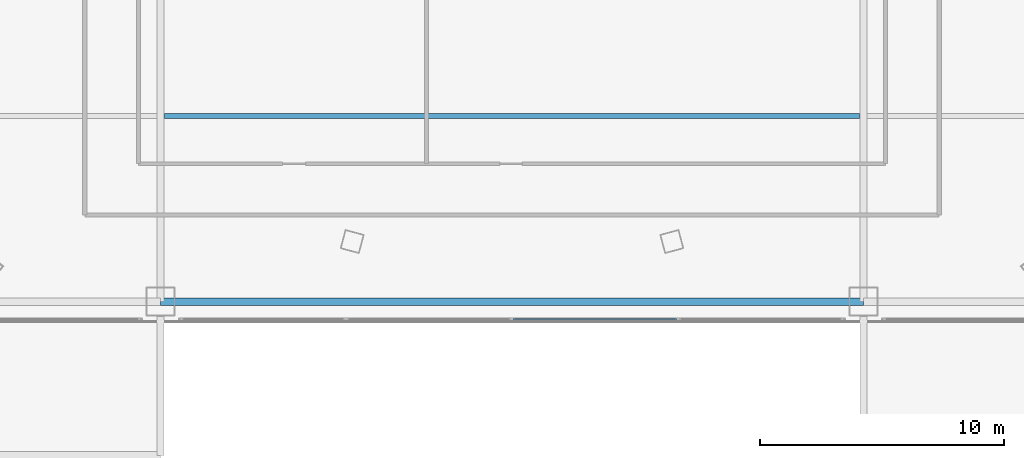
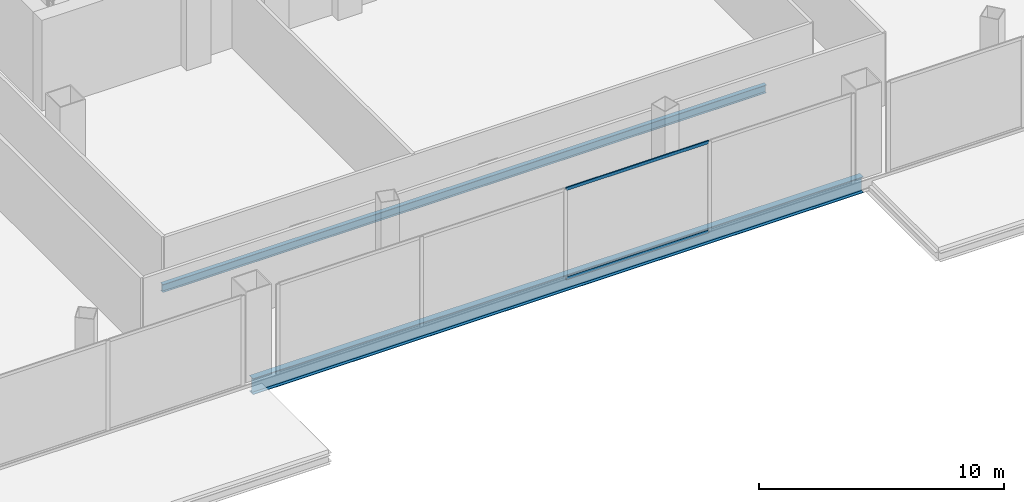
# One storey, part 10 of 42: 2 beams, 2 members, 1 element without a shape of its own.
"""IFC4 building model written with IfcOpenShell, lengths in metres."""

import ifcopenshell
import ifcopenshell.guid

model = None  # the IFC model being written
_history = None  # IfcOwnerHistory: only IFC2X3 demands one
_inside = {}  # id of a spatial element -> (the spatial element, [elements in it])
_under = {}  # id of a project, library or spatial element -> (it, [spatial elements below it])
_declared = {}  # id of a project -> (the project, [libraries it declares])
_typed = {}  # id of a type object -> (the type object, [elements of that type])
_made_of = {}  # id of a material, layer set ... -> (it, [elements and type objects made of it])


def new_model(schema):
    """Start an empty IFC model of exactly this schema.

    Asked for "IFC4X3", IfcOpenShell would pick the latest addendum, in which some entities
    have other attributes; the version numbers below select the first issue.
    IFC2X3 requires an IfcOwnerHistory on every rooted entity: one is made here for all.
    """
    global model, _history
    if schema == "IFC4X3":
        model = ifcopenshell.file(schema_version=(4, 3, 0, 0))
    else:
        model = ifcopenshell.file(schema=schema)
    _inside.clear()
    _under.clear()
    _declared.clear()
    _typed.clear()
    _made_of.clear()
    _history = None
    if model.schema == "IFC2X3":
        org = make("IfcOrganization", Name="unknown")
        user = make(
            "IfcPersonAndOrganization",
            ThePerson=make("IfcPerson", FamilyName="unknown"),
            TheOrganization=org,
        )
        app = make(
            "IfcApplication",
            ApplicationDeveloper=org,
            Version="unknown",
            ApplicationFullName="unknown",
            ApplicationIdentifier="unknown",
        )
        _history = make(
            "IfcOwnerHistory",
            OwningUser=user,
            OwningApplication=app,
            ChangeAction="ADDED",
            CreationDate=0,
        )
    return model


def make(cls, **values):
    """One entity of the class cls with the attributes given. An attribute that is None is left unset."""
    return model.create_entity(
        cls, **{name: value for name, value in values.items() if value is not None}
    )


def rooted(cls, **values):
    """An entity with a GlobalId (a new one), such as an element, a storey or a relation."""
    return make(cls, GlobalId=ifcopenshell.guid.new(), OwnerHistory=_history, **values)


def si_unit(unit_type, name, prefix=None):
    """IfcSIUnit, for example si_unit("LENGTHUNIT", "METRE", prefix="MILLI")."""
    return make("IfcSIUnit", UnitType=unit_type, Prefix=prefix, Name=name)


def assignment(units):
    """IfcUnitAssignment: the units of a project."""
    return None if units is None else make("IfcUnitAssignment", Units=units)


def point(xyz):
    """IfcCartesianPoint."""
    return None if xyz is None else make("IfcCartesianPoint", Coordinates=xyz)


def direction(xyz):
    """IfcDirection."""
    return None if xyz is None else make("IfcDirection", DirectionRatios=xyz)


def frame(location, z_axis=None, x_axis=None):
    """IfcAxis2Placement3D, a coordinate frame: its origin and axes. An axis left out is left unset."""
    return make(
        "IfcAxis2Placement3D",
        Location=point(location),
        Axis=direction(z_axis),
        RefDirection=direction(x_axis),
    )


def frame_2d(location, x_axis=None):
    """IfcAxis2Placement2D, a coordinate frame in the plane: its origin and x axis."""
    return make(
        "IfcAxis2Placement2D", Location=point(location), RefDirection=direction(x_axis)
    )


def origin():
    """The frame at (0, 0, 0) with its axes left unset."""
    return frame((0.0, 0.0, 0.0))


def origin_2d():
    """The frame at (0, 0) in the plane with its x axis left unset."""
    return frame_2d((0.0, 0.0))


def place(relative_to, where):
    """IfcLocalPlacement: puts the frame where relative to a parent placement (None: the world)."""
    return make(
        "IfcLocalPlacement", PlacementRelTo=relative_to, RelativePlacement=where
    )


def context(
    kind, dimensions, precision=None, world=None, true_north=None, identifier=None
):
    """IfcGeometricRepresentationContext, for example the 3D "Model" context."""
    return make(
        "IfcGeometricRepresentationContext",
        ContextIdentifier=identifier,
        ContextType=kind,
        CoordinateSpaceDimension=dimensions,
        Precision=precision,
        WorldCoordinateSystem=world,
        TrueNorth=true_north,
    )


def subcontext(parent, identifier, kind, view, scale=None):
    """IfcGeometricRepresentationSubContext, for example "Body" below "Model"."""
    return make(
        "IfcGeometricRepresentationSubContext",
        ContextIdentifier=identifier,
        ContextType=kind,
        ParentContext=parent,
        TargetScale=scale,
        TargetView=view,
    )


def project(units=None, contexts=None):
    """IfcProject with its units and contexts."""
    return rooted(
        "IfcProject",
        Name="project",
        RepresentationContexts=contexts,
        UnitsInContext=assignment(units),
    )


def spatial(cls, under=None, at=None, **own):
    """A site, building, storey or space (cls), placed at a placement, below another one or the project."""
    s = rooted(cls, ObjectPlacement=at, **own)
    if under is not None:
        _under.setdefault(under.id(), (under, []))[1].append(s)
    return s


def profile(cls, at=None, kind="AREA", **sizes):
    """A parametric profile (cls). Its sizes go by their IFC names, for example OverallWidth=200.0."""
    return make(cls, ProfileType=kind, Position=at, **sizes)


def hollow_rectangle(**sizes):
    """IfcRectangleHollowProfileDef."""
    return profile("IfcRectangleHollowProfileDef", **sizes)


def i_section(**sizes):
    """IfcIShapeProfileDef."""
    return profile("IfcIShapeProfileDef", **sizes)


def extrude(swept, where, along, depth):
    """IfcExtrudedAreaSolid: the profile swept, set in the frame where, extruded along a direction by depth."""
    return make(
        "IfcExtrudedAreaSolid",
        SweptArea=swept,
        Position=where,
        ExtrudedDirection=direction(along),
        Depth=depth,
    )


def shape(context_of_items, identifier, shape_type, items):
    """IfcShapeRepresentation: the items that make up one representation, for example the "Body"."""
    return make(
        "IfcShapeRepresentation",
        ContextOfItems=context_of_items,
        RepresentationIdentifier=identifier,
        RepresentationType=shape_type,
        Items=items,
    )


def source(mapping_origin, context_of_items, identifier, shape_type, items):
    """IfcRepresentationMap: a shape defined once, which mapped items show again and again."""
    return make(
        "IfcRepresentationMap",
        MappingOrigin=mapping_origin,
        MappedRepresentation=shape(context_of_items, identifier, shape_type, items),
    )


def transform(
    local_origin,
    x_axis=None,
    y_axis=None,
    z_axis=None,
    scale=None,
    scale2=None,
    scale3=None,
    uniform=True,
):
    """IfcCartesianTransformationOperator3D, or its non-uniform kind. x_axis, y_axis, z_axis: its Axis1, 2, 3."""
    if uniform:
        return make(
            "IfcCartesianTransformationOperator3D",
            Axis1=direction(x_axis),
            Axis2=direction(y_axis),
            LocalOrigin=point(local_origin),
            Scale=scale,
            Axis3=direction(z_axis),
        )
    return make(
        "IfcCartesianTransformationOperator3DnonUniform",
        Axis1=direction(x_axis),
        Axis2=direction(y_axis),
        LocalOrigin=point(local_origin),
        Scale=scale,
        Axis3=direction(z_axis),
        Scale2=scale2,
        Scale3=scale3,
    )


def mapped(mapping_source, mapping_target):
    """IfcMappedItem: shows the shape of a source again, moved by a transform."""
    return make(
        "IfcMappedItem", MappingSource=mapping_source, MappingTarget=mapping_target
    )


def material(Name=None, Category=None):
    """IfcMaterial."""
    return make("IfcMaterial", Name=Name, Category=Category)


def layer(
    of_material, thickness, ventilated=None, Name=None, Category=None, Priority=None
):
    """IfcMaterialLayer: one layer of a wall or slab, of a material (None: an air gap)."""
    return make(
        "IfcMaterialLayer",
        Material=of_material,
        LayerThickness=thickness,
        IsVentilated=ventilated,
        Name=Name,
        Category=Category,
        Priority=Priority,
    )


def layer_set(layers, Name=None):
    """IfcMaterialLayerSet."""
    return make("IfcMaterialLayerSet", MaterialLayers=layers, LayerSetName=Name)


def material_profile(
    of_material, cross_section, Name=None, Category=None, Priority=None
):
    """IfcMaterialProfile: a cross section and its material."""
    return make(
        "IfcMaterialProfile",
        Name=Name,
        Material=of_material,
        Profile=cross_section,
        Priority=Priority,
        Category=Category,
    )


def profile_set(profiles, Name=None, composite=None):
    """IfcMaterialProfileSet."""
    return make(
        "IfcMaterialProfileSet",
        Name=Name,
        MaterialProfiles=profiles,
        CompositeProfile=composite,
    )


def made_of(thing, what):
    """Note that an element or type object is made of a material, layer set ...; save() writes the relation."""
    if what is not None:
        _made_of.setdefault(what.id(), (what, []))[1].append(thing)
    return thing


def type_object(cls, material=None, **own):
    """A type object (cls), such as IfcWallType, which elements share."""
    return made_of(rooted(cls, **own), material)


def element(
    cls,
    number,
    at=None,
    inside=None,
    cuts=None,
    type_object=None,
    material=None,
    context=None,
    identifier="Body",
    shape_type=None,
    held_by="IfcProductDefinitionShape",
    body=None,
    shapes=None,
    **own,
):
    """One element of the class cls, such as IfcWall. Its Tag is "e" and its number.

    at: its placement. inside: the storey or other place that contains it. cuts: it is an
    opening in that element (IfcRelVoidsElement). A single representation is given by context,
    identifier, shape_type and body (its items); several are given by shapes. held_by: the class
    of the entity that holds the representations. save() writes the other relations.
    """
    e = rooted(cls, Tag="e%d" % number, ObjectPlacement=at, **own)
    if body is not None:
        shapes = [shape(context, identifier, shape_type, body)]
    if shapes is not None:
        e.Representation = make(held_by, Representations=shapes)
    if inside is not None:
        _inside.setdefault(inside.id(), (inside, []))[1].append(e)
    if cuts is not None:
        rooted(
            "IfcRelVoidsElement", RelatingBuildingElement=cuts, RelatedOpeningElement=e
        )
    if type_object is not None:
        _typed.setdefault(type_object.id(), (type_object, []))[1].append(e)
    return made_of(e, material)


def aggregate(whole, parts):
    """IfcRelAggregates: a whole, such as a stair, and the parts it consists of."""
    return rooted("IfcRelAggregates", RelatingObject=whole, RelatedObjects=parts)


def save(model, path):
    """Write the relations noted so far, then the file.

    IfcRelAggregates (storeys below a building ...), IfcRelContainedInSpatialStructure (elements
    in a storey), IfcRelDefinesByType, IfcRelAssociatesMaterial and IfcRelDeclares: one each for
    every whole, place, type object, material and project.
    """
    for whole, parts in _under.values():
        aggregate(whole, parts)
    for where, things in _inside.values():
        rooted(
            "IfcRelContainedInSpatialStructure",
            RelatedElements=things,
            RelatingStructure=where,
        )
    for kind, things in _typed.values():
        rooted("IfcRelDefinesByType", RelatedObjects=things, RelatingType=kind)
    for what, things in _made_of.values():
        rooted("IfcRelAssociatesMaterial", RelatedObjects=things, RelatingMaterial=what)
    for by, libraries in _declared.values():
        rooted("IfcRelDeclares", RelatingContext=by, RelatedDefinitions=libraries)
    model.write(path)


model = new_model("IFC4")

# Units and contexts
model_context = context("Model", 3, precision=1e-05, world=origin(), true_north=direction((0.0, 1.0)))
body_context = subcontext(model_context, "Body", "Model", "MODEL_VIEW")
ifc_project = project(units=[si_unit("LENGTHUNIT", "METRE"), si_unit("AREAUNIT", "SQUARE_METRE"), si_unit("VOLUMEUNIT", "CUBIC_METRE"), si_unit("PLANEANGLEUNIT", "RADIAN"), si_unit("MASSUNIT", "GRAM", prefix="KILO"), si_unit("THERMODYNAMICTEMPERATUREUNIT", "KELVIN"), si_unit("POWERUNIT", "WATT")], contexts=[model_context])

# Site, building, storey
site_placement = place(None, origin())
site = spatial("IfcSite", under=ifc_project, at=site_placement, CompositionType="ELEMENT")
building_placement = place(site_placement, origin())
building = spatial("IfcBuilding", under=site, at=building_placement, Name="Yunzhuo Pagoda Commons", CompositionType="ELEMENT")
storey_placement = place(building_placement, frame((0.0, 0.0, 4.800048828125)))
storey = spatial("IfcBuildingStorey", under=building, at=storey_placement, Name="L02", CompositionType="ELEMENT", Elevation=4.800048828125)

# Beams
ifc_material_1 = material(Name="Structural steel Q355B", Category="steel")
ifc_material_profile_1 = material_profile(ifc_material_1, i_section(OverallWidth=0.300048828125, OverallDepth=0.800048828125, WebThickness=0.013916015625, FlangeThickness=0.02587890625, at=origin_2d()), Name="Structural steel Q355B")
ifc_profile_set_1 = profile_set([ifc_material_profile_1], Name="Structural steel Q355B")
beam_type_1 = type_object("IfcBeamType", Name="B-PD2 Beam HN 800x300x14x26", PredefinedType="BEAM", material=ifc_profile_set_1)
shared_shape_1 = source(origin(), body_context, "Body", "SweptSolid", [
    extrude(i_section(OverallWidth=0.300048828125, OverallDepth=0.800048828125, WebThickness=0.013916015625, FlangeThickness=0.02587890625, at=origin_2d()), origin(), (0.0, 0.0, 1.0), 28.7998046875),
])
beam_1_placement = place(storey_placement, frame((33.60009765625, 6.800048828125, -0.679931640625), z_axis=(1.0, 0.0, 0.0), x_axis=(0.0, 1.0, 0.0)))
element("IfcBeam", 1, at=beam_1_placement, inside=storey, type_object=beam_type_1, Name="L02 podium girder EW 1.3", PredefinedType="BEAM", context=body_context, shape_type="MappedRepresentation", body=[
    mapped(shared_shape_1, transform((0.0, 0.0, 0.0), scale=1.0)),
])
ifc_material_profile_2 = material_profile(ifc_material_1, i_section(OverallWidth=0.199951171875, OverallDepth=0.39990234375, WebThickness=0.008056640625, FlangeThickness=0.012939453125, at=origin_2d()), Name="Structural steel Q355B")
ifc_profile_set_2 = profile_set([ifc_material_profile_2], Name="Structural steel Q355B")
beam_type_2 = type_object("IfcBeamType", Name="B-JS1 Joist HN 400x200x8x13", PredefinedType="JOIST", material=ifc_profile_set_2)
shared_shape_2 = source(origin(), body_context, "Body", "SweptSolid", [
    extrude(i_section(OverallWidth=0.199951171875, OverallDepth=0.39990234375, WebThickness=0.008056640625, FlangeThickness=0.012939453125, at=origin_2d()), origin(), (0.0, 0.0, 1.0), 28.490234375),
])
beam_2_placement = place(storey_placement, frame((33.7548828125, 14.39990234375, -0.47998046875), z_axis=(1.0, 0.0, 0.0), x_axis=(0.0, 1.0, 0.0)))
element("IfcBeam", 2, at=beam_2_placement, inside=storey, type_object=beam_type_2, Name="L02 podium composite joist 3.1", PredefinedType="JOIST", context=body_context, shape_type="MappedRepresentation", body=[
    mapped(shared_shape_2, transform((0.0, 0.0, 0.0), scale=1.0)),
])

# Curtain wall, members
ifc_material_2 = material(Name="Anodized aluminium 6063-T6", Category="aluminium")
ifc_layer = layer(ifc_material_2, 0.179931640625)
ifc_layer_set = layer_set([ifc_layer], Name="Anodized aluminium 6063-T6")
curtain_wall_type = type_object("IfcCurtainWallType", Name="CW-POD Waterfront Podium Curtain Wall", PredefinedType="NOTDEFINED", material=ifc_layer_set)
curtain_wall_placement = place(storey_placement, origin())
curtain_wall = element("IfcCurtainWall", 3, at=curtain_wall_placement, inside=storey, type_object=curtain_wall_type, Name="L02 curtain wall CW-L02-S3", PredefinedType="NOTDEFINED")
ifc_material_profile_3 = material_profile(ifc_material_2, hollow_rectangle(XDim=0.06005859375, YDim=0.14990234375, WallThickness=0.00390625, at=origin_2d()), Name="Anodized aluminium 6063-T6")
ifc_profile_set_3 = profile_set([ifc_material_profile_3], Name="Anodized aluminium 6063-T6")
member_type = type_object("IfcMemberType", Name="CW-POD-T Transom RHS 150x60x4", PredefinedType="USERDEFINED", material=ifc_profile_set_3)
shared_shape_3 = source(origin(), body_context, "Body", "SweptSolid", [
    extrude(hollow_rectangle(XDim=0.06005859375, YDim=0.14990234375, WallThickness=0.00390625, at=origin_2d()), origin(), (0.0, 0.0, 1.0), 6.735107421875),
])
member_1_placement = place(storey_placement, frame((48.032470703125, 6.080078125, 0.030029296875), z_axis=(1.0, 0.0, 0.0), x_axis=(0.0, 1.0, 0.0)))
member_1 = element("IfcMember", 4, at=member_1_placement, type_object=member_type, Name="CW transom 3.1", ObjectType="TRANSOM", PredefinedType="USERDEFINED", context=body_context, shape_type="MappedRepresentation", body=[
    mapped(shared_shape_3, transform((0.0, 0.0, 0.0), scale=1.0)),
])
member_2_placement = place(storey_placement, frame((48.032470703125, 6.080078125, 4.489990234375), z_axis=(1.0, 0.0, 0.0), x_axis=(0.0, 1.0, 0.0)))
member_2 = element("IfcMember", 5, at=member_2_placement, type_object=member_type, Name="CW transom 3.2", ObjectType="TRANSOM", PredefinedType="USERDEFINED", context=body_context, shape_type="MappedRepresentation", body=[
    mapped(shared_shape_3, transform((0.0, 0.0, 0.0), scale=1.0)),
])
aggregate(curtain_wall, [member_1, member_2])

save(model, "model.ifc")
